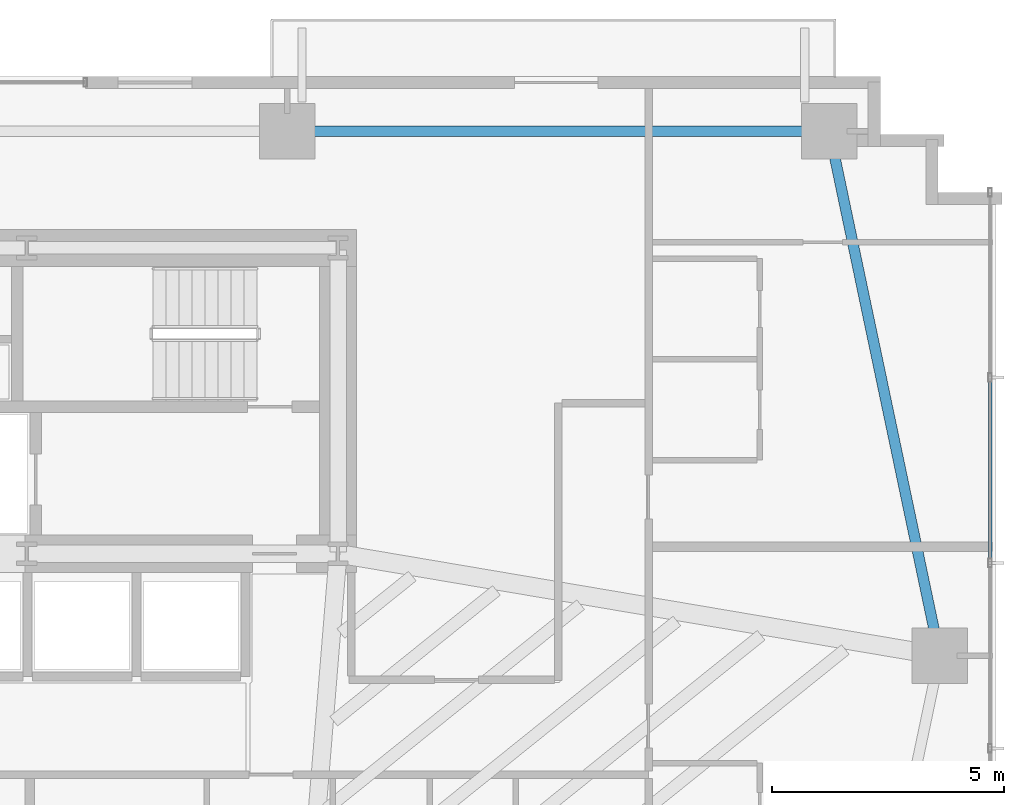
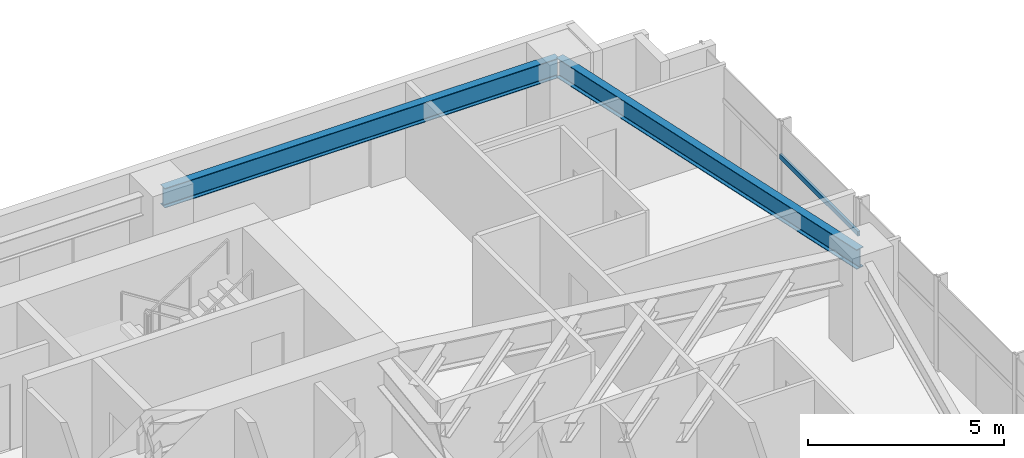
# One storey, part 16 of 25: 2 beams, 1 member, 1 element without a shape of its own.
"""IFC4 building model written with IfcOpenShell, lengths in metres."""

from ifc_helpers import new_model, si_unit, direction, frame, origin, origin_2d, place, context, subcontext, project, spatial, hollow_rectangle, i_section, extrude, source, transform, mapped, material, material_profile, profile_set, type_object, type_shapes, element, aggregate, save


model = new_model("IFC4")

# Units and contexts
model_context = context("Model", 3, precision=1e-05, world=origin(), true_north=direction((0.0, 1.0)))
body_context = subcontext(model_context, "Body", "Model", "MODEL_VIEW")
ifc_project = project(units=[si_unit("LENGTHUNIT", "METRE"), si_unit("AREAUNIT", "SQUARE_METRE"), si_unit("VOLUMEUNIT", "CUBIC_METRE"), si_unit("PLANEANGLEUNIT", "RADIAN"), si_unit("MASSUNIT", "GRAM", prefix="KILO")], contexts=[model_context])

# Site, building, storey
site_placement = place(None, origin())
site = spatial("IfcSite", under=ifc_project, at=site_placement, CompositionType="ELEMENT")
building_placement = place(site_placement, origin())
building = spatial("IfcBuilding", under=site, at=building_placement, Name="Astriad Promenade Condominiums", CompositionType="ELEMENT")
storey_placement = place(building_placement, frame((0.0, 0.0, 45.39990234375)))
storey = spatial("IfcBuildingStorey", under=building, at=storey_placement, Name="L12", CompositionType="ELEMENT", Elevation=45.39990234375)

# Beams
ifc_material_1 = material(Name="Steel ASTM A992 Grade 50", Category="steel")
ifc_material_profile_1 = material_profile(ifc_material_1, i_section(OverallWidth=0.22900390625, OverallDepth=0.612060546875, WebThickness=0.011962890625, FlangeThickness=0.01953125, FilletRadius=0.017822265625, at=origin_2d()), Name="W24X84")
ifc_profile_set_1 = profile_set([ifc_material_profile_1], Name="Steel ASTM A992 Grade 50")
beam_type = type_object("IfcBeamType", Name="STEEL SPANDREL BEAM W24X84", PredefinedType="SPANDREL", material=ifc_profile_set_1)
shared_shape_1 = source(origin(), body_context, "Body", "SweptSolid", [
    extrude(i_section(OverallWidth=0.22900390625, OverallDepth=0.612060546875, WebThickness=0.011962890625, FlangeThickness=0.01953125, FilletRadius=0.017822265625, at=origin_2d()), origin(), (0.0, 0.0, 1.0), 11.619873046875),
])
beam_1_placement = place(storey_placement, frame((56.159912109375, 26.52001953125, 2.634033203125), z_axis=(-1.0, 0.0, 0.0), x_axis=(0.0, -1.0, 0.0)))
element("IfcBeam", 1, at=beam_1_placement, inside=storey, type_object=beam_type, Name="Perimeter Spandrel Beam SP-N4-L12", PredefinedType="SPANDREL", context=body_context, shape_type="MappedRepresentation", body=[
    mapped(shared_shape_1, transform((0.0, 0.0, 0.0), scale=1.0)),
])
shared_shape_2 = source(origin(), body_context, "Body", "SweptSolid", [
    extrude(i_section(OverallWidth=0.22900390625, OverallDepth=0.612060546875, WebThickness=0.011962890625, FlangeThickness=0.01953125, FilletRadius=0.017822265625, at=origin_2d()), origin(), (0.0, 0.0, 1.0), 11.48779296875),
])
type_shapes(beam_type, [shared_shape_1, shared_shape_2])
beam_2_placement = place(storey_placement, frame((58.57177734375, 15.239013671875, 2.634033203125), z_axis=(-0.205743776427, 0.978605895374, 0.0), x_axis=(-0.978605895374, -0.205743776427, 0.0)))
element("IfcBeam", 2, at=beam_2_placement, inside=storey, type_object=beam_type, Name="Perimeter Spandrel Beam SP-E2-L12", PredefinedType="SPANDREL", context=body_context, shape_type="MappedRepresentation", body=[
    mapped(shared_shape_2, transform((0.0, 0.0, 0.0), scale=1.0)),
])

# Curtain wall, member
ifc_material_2 = material(Name="Anodised aluminium Black Dark Glass Unitised", Category="aluminium")
curtain_wall_type = type_object("IfcCurtainWallType", Name="CW-B1-DARK", PredefinedType="USERDEFINED", material=ifc_material_2)
curtain_wall_placement = place(storey_placement, origin())
curtain_wall = element("IfcCurtainWall", 3, at=curtain_wall_placement, inside=storey, type_object=curtain_wall_type, Name="CW-L12-E", ObjectType="UNITISED_CURTAIN_WALL", PredefinedType="USERDEFINED")
ifc_material_3 = material(Name="Anodised aluminium 6063-T6 Black", Category="aluminium")
ifc_material_profile_2 = material_profile(ifc_material_3, hollow_rectangle(XDim=0.074951171875, YDim=0.14990234375, WallThickness=0.004150390625, at=origin_2d()), Name="ALU-TRN-75X150")
ifc_profile_set_2 = profile_set([ifc_material_profile_2], Name="Anodised aluminium 6063-T6 Black")
member_type = type_object("IfcMemberType", Name="TRN-ALU-TRN-75X150", PredefinedType="USERDEFINED", material=ifc_profile_set_2)
shared_shape_3 = source(origin(), body_context, "Body", "SweptSolid", [
    extrude(hollow_rectangle(XDim=0.074951171875, YDim=0.14990234375, WallThickness=0.004150390625, at=origin_2d()), origin(), (0.0, 0.0, 1.0), 4.0),
])
type_shapes(member_type, [shared_shape_3])
member_placement = place(storey_placement, frame((59.669921875, 21.199951171875, 1.822998046875), z_axis=(0.0, -1.0, 0.0), x_axis=(1.0, 0.0, 0.0)))
member = element("IfcMember", 4, at=member_placement, type_object=member_type, Name="CW-L12-E-TRN-01-0", ObjectType="TRANSOM", PredefinedType="USERDEFINED", context=body_context, shape_type="MappedRepresentation", body=[
    mapped(shared_shape_3, transform((0.0, 0.0, 0.0), scale=1.0)),
])
aggregate(curtain_wall, [member])

save(model, "model.ifc")
